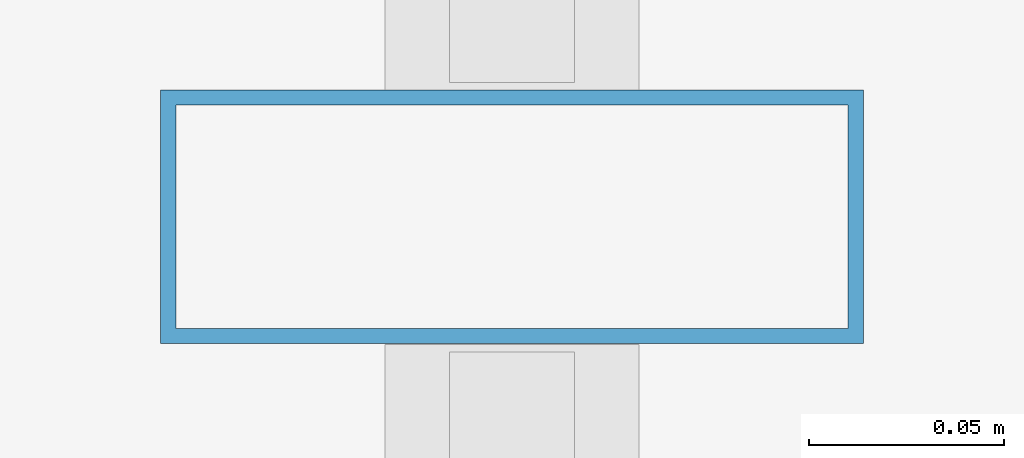
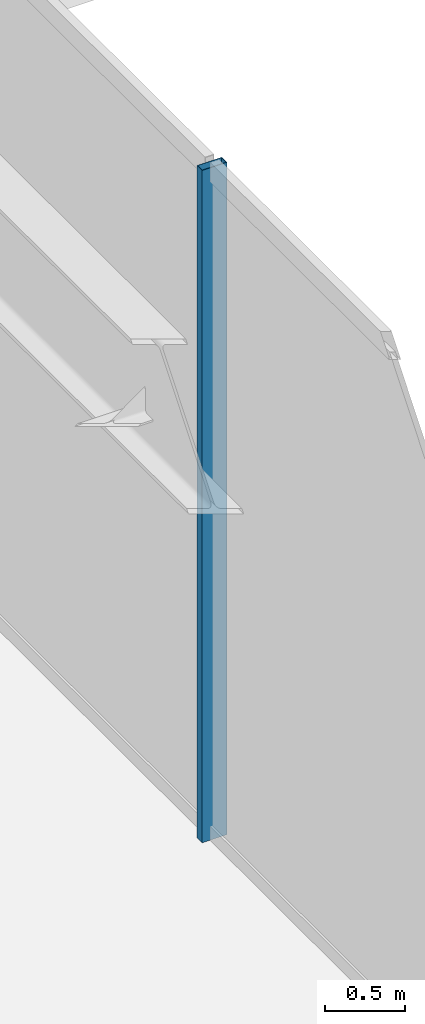
# One storey, part 7 of 29: 1 member, 1 element without a shape of its own.
"""IFC4 building model written with IfcOpenShell, lengths in metres."""

from ifc_helpers import new_model, si_unit, direction, frame, origin, origin_2d, place, context, subcontext, project, spatial, hollow_rectangle, extrude, material, material_profile, profile_set, type_object, element, aggregate, save


model = new_model("IFC4")

# Units and contexts
model_context = context("Model", 3, precision=1e-05, world=origin(), true_north=direction((0.0, 1.0)))
body_context = subcontext(model_context, "Body", "Model", "MODEL_VIEW")
ifc_project = project(units=[si_unit("LENGTHUNIT", "METRE"), si_unit("AREAUNIT", "SQUARE_METRE"), si_unit("VOLUMEUNIT", "CUBIC_METRE"), si_unit("PLANEANGLEUNIT", "RADIAN"), si_unit("MASSUNIT", "GRAM", prefix="KILO")], contexts=[model_context])

# Site, building, storey
site_placement = place(None, origin())
site = spatial("IfcSite", under=ifc_project, at=site_placement, CompositionType="ELEMENT")
building_placement = place(site_placement, origin())
building = spatial("IfcBuilding", under=site, at=building_placement, Name="Saevonmaru Cultural Tower", CompositionType="ELEMENT")
storey_placement = place(building_placement, frame((0.0, 0.0, 27.60009765625)))
storey = spatial("IfcBuildingStorey", under=building, at=storey_placement, Name="L05", CompositionType="ELEMENT", Elevation=27.60009765625)

# Curtain wall, member
ifc_material = material(Name="Satin Bronze Anodised Aluminium", Category="aluminium")
curtain_wall_type = type_object("IfcCurtainWallType", Name="CW-ATR-GLZ", PredefinedType="NOTDEFINED", material=ifc_material)
curtain_wall_placement = place(storey_placement, origin())
curtain_wall = element("IfcCurtainWall", 1, at=curtain_wall_placement, inside=storey, type_object=curtain_wall_type, Name="L05 Vertical Atrium Glazed Smoke Screen 4", PredefinedType="NOTDEFINED")
ifc_material_profile = material_profile(ifc_material, hollow_rectangle(XDim=0.06494140625, YDim=0.179931640625, WallThickness=0.00390625, at=origin_2d()), Name="ALU-MULL-180x65x4")
ifc_profile_set = profile_set([ifc_material_profile], Name="Satin Bronze Anodised Aluminium")
member_type = type_object("IfcMemberType", Name="ML-CW-INT-180x65", PredefinedType="MULLION", material=ifc_profile_set)
member_placement = place(storey_placement, frame((24.050048828125, 29.60009765625, 0.0), z_axis=(0.0, 0.0, 1.0), x_axis=(0.0, -1.0, 0.0)))
member = element("IfcMember", 2, at=member_placement, type_object=member_type, Name="CW-ATR-L05-4 mullion 2", PredefinedType="MULLION", context=body_context, shape_type="SweptSolid", body=[
    extrude(hollow_rectangle(XDim=0.06494140625, YDim=0.179931640625, WallThickness=0.00390625, at=origin_2d()), origin(), (0.0, 0.0, 1.0), 5.14990234375),
])
aggregate(curtain_wall, [member])

save(model, "model.ifc")
